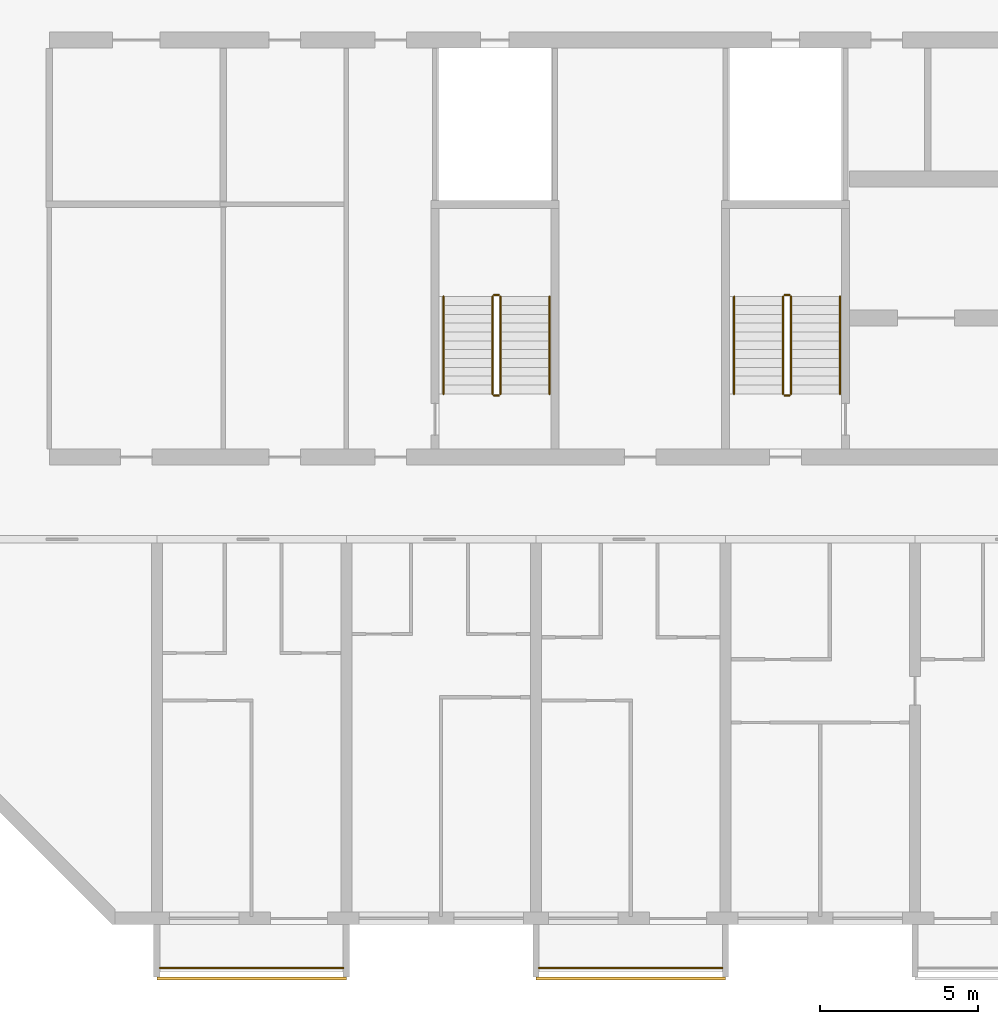
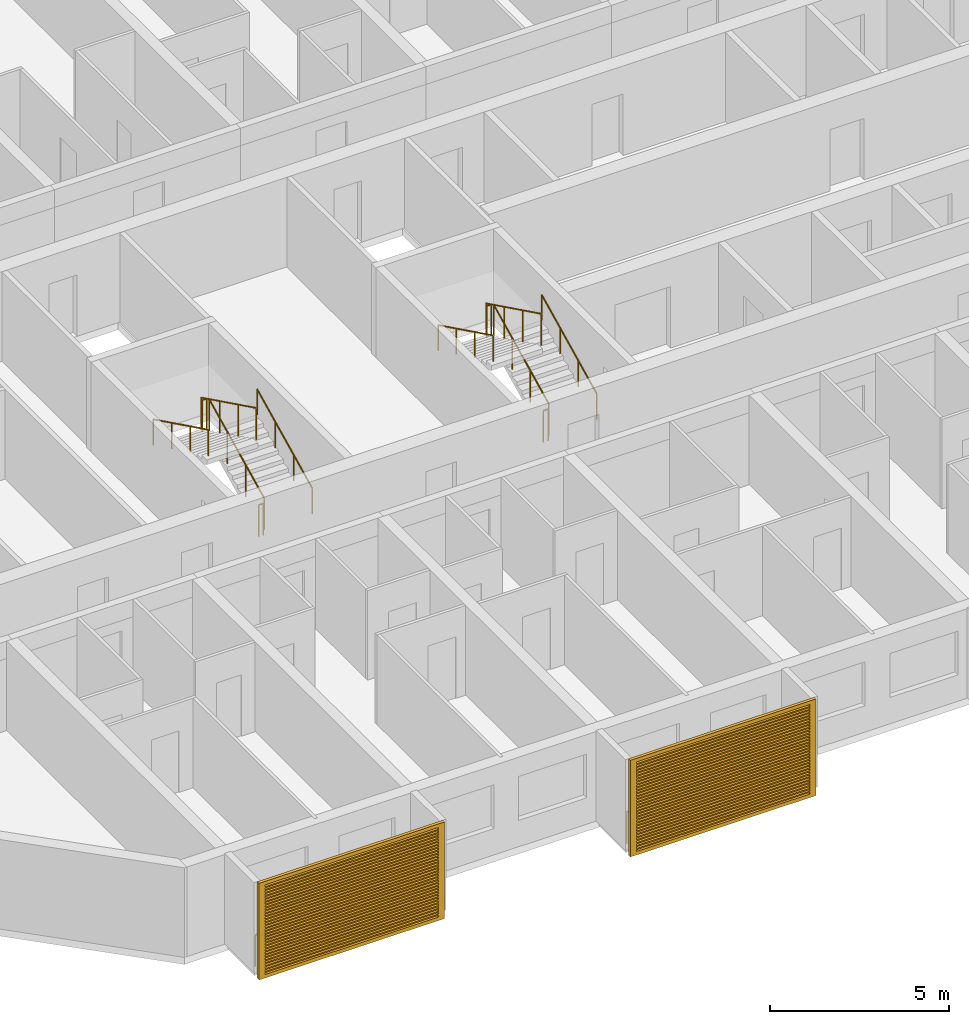
# One storey, part 18 of 28: 14 railings, 2 shading devices.
"""IFC4 building model written with IfcOpenShell, lengths in metres."""

import ifcopenshell
import ifcopenshell.guid

model = None  # the IFC model being written
_history = None  # IfcOwnerHistory: only IFC2X3 demands one
_inside = {}  # id of a spatial element -> (the spatial element, [elements in it])
_under = {}  # id of a project, library or spatial element -> (it, [spatial elements below it])
_declared = {}  # id of a project -> (the project, [libraries it declares])
_typed = {}  # id of a type object -> (the type object, [elements of that type])
_made_of = {}  # id of a material, layer set ... -> (it, [elements and type objects made of it])


def new_model(schema):
    """Start an empty IFC model of exactly this schema.

    Asked for "IFC4X3", IfcOpenShell would pick the latest addendum, in which some entities
    have other attributes; the version numbers below select the first issue.
    IFC2X3 requires an IfcOwnerHistory on every rooted entity: one is made here for all.
    """
    global model, _history
    if schema == "IFC4X3":
        model = ifcopenshell.file(schema_version=(4, 3, 0, 0))
    else:
        model = ifcopenshell.file(schema=schema)
    _inside.clear()
    _under.clear()
    _declared.clear()
    _typed.clear()
    _made_of.clear()
    _history = None
    if model.schema == "IFC2X3":
        org = make("IfcOrganization", Name="unknown")
        user = make(
            "IfcPersonAndOrganization",
            ThePerson=make("IfcPerson", FamilyName="unknown"),
            TheOrganization=org,
        )
        app = make(
            "IfcApplication",
            ApplicationDeveloper=org,
            Version="unknown",
            ApplicationFullName="unknown",
            ApplicationIdentifier="unknown",
        )
        _history = make(
            "IfcOwnerHistory",
            OwningUser=user,
            OwningApplication=app,
            ChangeAction="ADDED",
            CreationDate=0,
        )
    return model


def make(cls, **values):
    """One entity of the class cls with the attributes given. An attribute that is None is left unset."""
    return model.create_entity(
        cls, **{name: value for name, value in values.items() if value is not None}
    )


def rooted(cls, **values):
    """An entity with a GlobalId (a new one), such as an element, a storey or a relation."""
    return make(cls, GlobalId=ifcopenshell.guid.new(), OwnerHistory=_history, **values)


def si_unit(unit_type, name, prefix=None):
    """IfcSIUnit, for example si_unit("LENGTHUNIT", "METRE", prefix="MILLI")."""
    return make("IfcSIUnit", UnitType=unit_type, Prefix=prefix, Name=name)


def assignment(units):
    """IfcUnitAssignment: the units of a project."""
    return None if units is None else make("IfcUnitAssignment", Units=units)


def point(xyz):
    """IfcCartesianPoint."""
    return None if xyz is None else make("IfcCartesianPoint", Coordinates=xyz)


def direction(xyz):
    """IfcDirection."""
    return None if xyz is None else make("IfcDirection", DirectionRatios=xyz)


def frame(location, z_axis=None, x_axis=None):
    """IfcAxis2Placement3D, a coordinate frame: its origin and axes. An axis left out is left unset."""
    return make(
        "IfcAxis2Placement3D",
        Location=point(location),
        Axis=direction(z_axis),
        RefDirection=direction(x_axis),
    )


def frame_2d(location, x_axis=None):
    """IfcAxis2Placement2D, a coordinate frame in the plane: its origin and x axis."""
    return make(
        "IfcAxis2Placement2D", Location=point(location), RefDirection=direction(x_axis)
    )


def origin():
    """The frame at (0, 0, 0) with its axes left unset."""
    return frame((0.0, 0.0, 0.0))


def origin_2d():
    """The frame at (0, 0) in the plane with its x axis left unset."""
    return frame_2d((0.0, 0.0))


def place(relative_to, where):
    """IfcLocalPlacement: puts the frame where relative to a parent placement (None: the world)."""
    return make(
        "IfcLocalPlacement", PlacementRelTo=relative_to, RelativePlacement=where
    )


def context(
    kind, dimensions, precision=None, world=None, true_north=None, identifier=None
):
    """IfcGeometricRepresentationContext, for example the 3D "Model" context."""
    return make(
        "IfcGeometricRepresentationContext",
        ContextIdentifier=identifier,
        ContextType=kind,
        CoordinateSpaceDimension=dimensions,
        Precision=precision,
        WorldCoordinateSystem=world,
        TrueNorth=true_north,
    )


def subcontext(parent, identifier, kind, view, scale=None):
    """IfcGeometricRepresentationSubContext, for example "Body" below "Model"."""
    return make(
        "IfcGeometricRepresentationSubContext",
        ContextIdentifier=identifier,
        ContextType=kind,
        ParentContext=parent,
        TargetScale=scale,
        TargetView=view,
    )


def project(units=None, contexts=None):
    """IfcProject with its units and contexts."""
    return rooted(
        "IfcProject",
        Name="project",
        RepresentationContexts=contexts,
        UnitsInContext=assignment(units),
    )


def spatial(cls, under=None, at=None, **own):
    """A site, building, storey or space (cls), placed at a placement, below another one or the project."""
    s = rooted(cls, ObjectPlacement=at, **own)
    if under is not None:
        _under.setdefault(under.id(), (under, []))[1].append(s)
    return s


def polyline(points):
    """IfcPolyline through the points."""
    return make("IfcPolyline", Points=[point(p) for p in points])


def profile(cls, at=None, kind="AREA", **sizes):
    """A parametric profile (cls). Its sizes go by their IFC names, for example OverallWidth=200.0."""
    return make(cls, ProfileType=kind, Position=at, **sizes)


def circle(**sizes):
    """IfcCircleProfileDef."""
    return profile("IfcCircleProfileDef", **sizes)


def outline(outer, holes=None, kind="AREA"):
    """IfcArbitraryClosedProfileDef: a profile drawn as a closed curve; with holes, ...WithVoids."""
    if holes is None:
        return make("IfcArbitraryClosedProfileDef", ProfileType=kind, OuterCurve=outer)
    return make(
        "IfcArbitraryProfileDefWithVoids",
        ProfileType=kind,
        OuterCurve=outer,
        InnerCurves=holes,
    )


def extrude(swept, where, along, depth):
    """IfcExtrudedAreaSolid: the profile swept, set in the frame where, extruded along a direction by depth."""
    return make(
        "IfcExtrudedAreaSolid",
        SweptArea=swept,
        Position=where,
        ExtrudedDirection=direction(along),
        Depth=depth,
    )


def shape(context_of_items, identifier, shape_type, items):
    """IfcShapeRepresentation: the items that make up one representation, for example the "Body"."""
    return make(
        "IfcShapeRepresentation",
        ContextOfItems=context_of_items,
        RepresentationIdentifier=identifier,
        RepresentationType=shape_type,
        Items=items,
    )


def source(mapping_origin, context_of_items, identifier, shape_type, items):
    """IfcRepresentationMap: a shape defined once, which mapped items show again and again."""
    return make(
        "IfcRepresentationMap",
        MappingOrigin=mapping_origin,
        MappedRepresentation=shape(context_of_items, identifier, shape_type, items),
    )


def transform(
    local_origin,
    x_axis=None,
    y_axis=None,
    z_axis=None,
    scale=None,
    scale2=None,
    scale3=None,
    uniform=True,
):
    """IfcCartesianTransformationOperator3D, or its non-uniform kind. x_axis, y_axis, z_axis: its Axis1, 2, 3."""
    if uniform:
        return make(
            "IfcCartesianTransformationOperator3D",
            Axis1=direction(x_axis),
            Axis2=direction(y_axis),
            LocalOrigin=point(local_origin),
            Scale=scale,
            Axis3=direction(z_axis),
        )
    return make(
        "IfcCartesianTransformationOperator3DnonUniform",
        Axis1=direction(x_axis),
        Axis2=direction(y_axis),
        LocalOrigin=point(local_origin),
        Scale=scale,
        Axis3=direction(z_axis),
        Scale2=scale2,
        Scale3=scale3,
    )


def mapped(mapping_source, mapping_target):
    """IfcMappedItem: shows the shape of a source again, moved by a transform."""
    return make(
        "IfcMappedItem", MappingSource=mapping_source, MappingTarget=mapping_target
    )


def material(Name=None, Category=None):
    """IfcMaterial."""
    return make("IfcMaterial", Name=Name, Category=Category)


def material_profile(
    of_material, cross_section, Name=None, Category=None, Priority=None
):
    """IfcMaterialProfile: a cross section and its material."""
    return make(
        "IfcMaterialProfile",
        Name=Name,
        Material=of_material,
        Profile=cross_section,
        Priority=Priority,
        Category=Category,
    )


def profile_set(profiles, Name=None, composite=None):
    """IfcMaterialProfileSet."""
    return make(
        "IfcMaterialProfileSet",
        Name=Name,
        MaterialProfiles=profiles,
        CompositeProfile=composite,
    )


def made_of(thing, what):
    """Note that an element or type object is made of a material, layer set ...; save() writes the relation."""
    if what is not None:
        _made_of.setdefault(what.id(), (what, []))[1].append(thing)
    return thing


def type_object(cls, material=None, **own):
    """A type object (cls), such as IfcWallType, which elements share."""
    return made_of(rooted(cls, **own), material)


def element(
    cls,
    number,
    at=None,
    inside=None,
    cuts=None,
    type_object=None,
    material=None,
    context=None,
    identifier="Body",
    shape_type=None,
    held_by="IfcProductDefinitionShape",
    body=None,
    shapes=None,
    **own,
):
    """One element of the class cls, such as IfcWall. Its Tag is "e" and its number.

    at: its placement. inside: the storey or other place that contains it. cuts: it is an
    opening in that element (IfcRelVoidsElement). A single representation is given by context,
    identifier, shape_type and body (its items); several are given by shapes. held_by: the class
    of the entity that holds the representations. save() writes the other relations.
    """
    e = rooted(cls, Tag="e%d" % number, ObjectPlacement=at, **own)
    if body is not None:
        shapes = [shape(context, identifier, shape_type, body)]
    if shapes is not None:
        e.Representation = make(held_by, Representations=shapes)
    if inside is not None:
        _inside.setdefault(inside.id(), (inside, []))[1].append(e)
    if cuts is not None:
        rooted(
            "IfcRelVoidsElement", RelatingBuildingElement=cuts, RelatedOpeningElement=e
        )
    if type_object is not None:
        _typed.setdefault(type_object.id(), (type_object, []))[1].append(e)
    return made_of(e, material)


def aggregate(whole, parts):
    """IfcRelAggregates: a whole, such as a stair, and the parts it consists of."""
    return rooted("IfcRelAggregates", RelatingObject=whole, RelatedObjects=parts)


def save(model, path):
    """Write the relations noted so far, then the file.

    IfcRelAggregates (storeys below a building ...), IfcRelContainedInSpatialStructure (elements
    in a storey), IfcRelDefinesByType, IfcRelAssociatesMaterial and IfcRelDeclares: one each for
    every whole, place, type object, material and project.
    """
    for whole, parts in _under.values():
        aggregate(whole, parts)
    for where, things in _inside.values():
        rooted(
            "IfcRelContainedInSpatialStructure",
            RelatedElements=things,
            RelatingStructure=where,
        )
    for kind, things in _typed.values():
        rooted("IfcRelDefinesByType", RelatedObjects=things, RelatingType=kind)
    for what, things in _made_of.values():
        rooted("IfcRelAssociatesMaterial", RelatedObjects=things, RelatingMaterial=what)
    for by, libraries in _declared.values():
        rooted("IfcRelDeclares", RelatingContext=by, RelatedDefinitions=libraries)
    model.write(path)


model = new_model("IFC4")

# Units and contexts
model_context = context("Model", 3, precision=1e-05, world=origin(), true_north=direction((0.0, 1.0)))
body_context = subcontext(model_context, "Body", "Model", "MODEL_VIEW")
ifc_project = project(units=[si_unit("LENGTHUNIT", "METRE"), si_unit("AREAUNIT", "SQUARE_METRE"), si_unit("VOLUMEUNIT", "CUBIC_METRE"), si_unit("PLANEANGLEUNIT", "RADIAN"), si_unit("MASSUNIT", "GRAM", prefix="KILO")], contexts=[model_context])

# Site, building, storey
site_placement = place(None, origin())
site = spatial("IfcSite", under=ifc_project, at=site_placement, CompositionType="ELEMENT")
building_placement = place(site_placement, origin())
building = spatial("IfcBuilding", under=site, at=building_placement, Name="Poui Terraces", CompositionType="ELEMENT")
storey_placement = place(building_placement, frame((0.0, 0.0, 72.89990234375)))
storey = spatial("IfcBuildingStorey", under=building, at=storey_placement, Name="L19", CompositionType="ELEMENT", Elevation=72.89990234375)

# Railings
ifc_material_1 = material(Name="Painted steel fretwork", Category="steel")
railing_type_1 = type_object("IfcRailingType", Name="BALCONY GUARD 1100", PredefinedType="GUARDRAIL", material=ifc_material_1)
for number, where, name in (
    (1, (12.10009765625, -1.570068359375, 0.0), "BALCONY GUARD"),
    (2, (24.10009765625, -1.570068359375, 0.0), "BALCONY GUARD"),
):
    element("IfcRailing", number, at=place(storey_placement, frame(where)), inside=storey, type_object=railing_type_1, Name=name, PredefinedType="GUARDRAIL", context=body_context, shape_type="SweptSolid", body=[
        extrude(circle(Radius=0.02392578125, at=origin_2d()), frame((0.0, 0.0, 1.076171875), z_axis=(1.0, 0.0, 0.0), x_axis=(0.0, 1.0, 0.0)), (0.0, 0.0, 1.0), 5.7998046875),
        extrude(circle(Radius=0.02099609375, at=origin_2d()), origin(), (0.0, 0.0, 1.0), 1.052001953125),
        extrude(circle(Radius=0.02099609375, at=origin_2d()), frame((0.966552734375, 0.0, 0.0)), (0.0, 0.0, 1.0), 1.052001953125),
        extrude(circle(Radius=0.02099609375, at=origin_2d()), frame((1.933349609375, 0.0, 0.0)), (0.0, 0.0, 1.0), 1.052001953125),
        extrude(circle(Radius=0.02099609375, at=origin_2d()), frame((2.89990234375, 0.0, 0.0)), (0.0, 0.0, 1.0), 1.052001953125),
        extrude(circle(Radius=0.02099609375, at=origin_2d()), frame((3.866455078125, 0.0, 0.0)), (0.0, 0.0, 1.0), 1.052001953125),
        extrude(circle(Radius=0.02099609375, at=origin_2d()), frame((4.833251953125, 0.0, 0.0)), (0.0, 0.0, 1.0), 1.052001953125),
        extrude(circle(Radius=0.02099609375, at=origin_2d()), frame((5.7998046875, 0.0, 0.0)), (0.0, 0.0, 1.0), 1.052001953125),
    ])
ifc_material_2 = material(Name="Galvanised steel balustrade", Category="steel")
railing_type_2 = type_object("IfcRailingType", Name="STAIR GUARD 1100", PredefinedType="GUARDRAIL", material=ifc_material_2)
railing_1_placement = place(storey_placement, frame((32.074951171875, 16.60009765625, 0.1376953125)))
element("IfcRailing", 3, at=railing_1_placement, inside=storey, type_object=railing_type_2, Name="L19 ST-CW stair guard 1", PredefinedType="GUARDRAIL", context=body_context, shape_type="SweptSolid", body=[
    extrude(circle(Radius=0.02392578125, at=origin_2d()), frame((0.0, 0.0, 1.076171875), z_axis=(0.0, 0.897606190399, 0.440798283751), x_axis=(-1.0, 0.0, 0.0)), (0.0, 0.0, 1.0), 3.43115234375),
    extrude(circle(Radius=0.02099609375, at=origin_2d()), origin(), (0.0, 0.0, 1.0), 1.052001953125),
    extrude(circle(Radius=0.02099609375, at=origin_2d()), frame((0.0, 1.026611328125, 0.504150390625)), (0.0, 0.0, 1.0), 1.052001953125),
    extrude(circle(Radius=0.02099609375, at=origin_2d()), frame((0.0, 2.05322265625, 1.00830078125)), (0.0, 0.0, 1.0), 1.052001953125),
    extrude(circle(Radius=0.02099609375, at=origin_2d()), frame((0.0, 3.079833984375, 1.512451171875)), (0.0, 0.0, 1.0), 1.052001953125),
])
railing_2_placement = place(storey_placement, frame((32.02490234375, 19.72998046875, 1.650146484375)))
element("IfcRailing", 4, at=railing_2_placement, inside=storey, type_object=railing_type_2, Name="L19 ST-CW stair guard 2", PredefinedType="GUARDRAIL", context=body_context, shape_type="SweptSolid", body=[
    extrude(circle(Radius=0.02392578125, at=origin_2d()), frame((0.0, 0.0, 1.076171875), z_axis=(-1.0, 0.0, 0.0), x_axis=(0.0, -1.0, 0.0)), (0.0, 0.0, 1.0), 0.14990234375),
    extrude(circle(Radius=0.02099609375, at=origin_2d()), origin(), (0.0, 0.0, 1.0), 1.052001953125),
    extrude(circle(Radius=0.02099609375, at=origin_2d()), frame((-0.14990234375, 0.0, 0.0)), (0.0, 0.0, 1.0), 1.052001953125),
])
railing_3_placement = place(storey_placement, frame((31.824951171875, 19.679931640625, 1.78759765625)))
element("IfcRailing", 5, at=railing_3_placement, inside=storey, type_object=railing_type_2, Name="L19 ST-CW stair guard 3", PredefinedType="GUARDRAIL", context=body_context, shape_type="SweptSolid", body=[
    extrude(circle(Radius=0.02392578125, at=origin_2d()), frame((0.0, 0.0, 1.076171875), z_axis=(0.0, -0.897606190399, 0.440798283751), x_axis=(1.0, 0.0, 0.0)), (0.0, 0.0, 1.0), 3.43115234375),
    extrude(circle(Radius=0.02099609375, at=origin_2d()), origin(), (0.0, 0.0, 1.0), 1.052001953125),
    extrude(circle(Radius=0.02099609375, at=origin_2d()), frame((0.0, -1.026611328125, 0.504150390625)), (0.0, 0.0, 1.0), 1.052001953125),
    extrude(circle(Radius=0.02099609375, at=origin_2d()), frame((0.0, -2.05322265625, 1.00830078125)), (0.0, 0.0, 1.0), 1.052001953125),
    extrude(circle(Radius=0.02099609375, at=origin_2d()), frame((0.0, -3.079833984375, 1.512451171875)), (0.0, 0.0, 1.0), 1.052001953125),
])
railing_4_placement = place(storey_placement, frame((32.02490234375, 16.550048828125, 0.0)))
element("IfcRailing", 6, at=railing_4_placement, inside=storey, type_object=railing_type_2, Name="L19 ST-CW stair guard 4", PredefinedType="GUARDRAIL", context=body_context, shape_type="SweptSolid", body=[
    extrude(circle(Radius=0.02392578125, at=origin_2d()), frame((0.0, 0.0, 1.076171875), z_axis=(-1.0, 0.0, 0.0), x_axis=(0.0, -1.0, 0.0)), (0.0, 0.0, 1.0), 0.14990234375),
    extrude(circle(Radius=0.02099609375, at=origin_2d()), origin(), (0.0, 0.0, 1.0), 1.052001953125),
    extrude(circle(Radius=0.02099609375, at=origin_2d()), frame((-0.14990234375, 0.0, 0.0)), (0.0, 0.0, 1.0), 1.052001953125),
])
railing_5_placement = place(storey_placement, frame((22.875, 16.60009765625, 0.1376953125)))
element("IfcRailing", 7, at=railing_5_placement, inside=storey, type_object=railing_type_2, Name="L19 ST-W stair guard 1", PredefinedType="GUARDRAIL", context=body_context, shape_type="SweptSolid", body=[
    extrude(circle(Radius=0.02392578125, at=origin_2d()), frame((0.0, 0.0, 1.076171875), z_axis=(0.0, 0.897606190399, 0.440798283751), x_axis=(-1.0, 0.0, 0.0)), (0.0, 0.0, 1.0), 3.43115234375),
    extrude(circle(Radius=0.02099609375, at=origin_2d()), origin(), (0.0, 0.0, 1.0), 1.052001953125),
    extrude(circle(Radius=0.02099609375, at=origin_2d()), frame((0.0, 1.026611328125, 0.504150390625)), (0.0, 0.0, 1.0), 1.052001953125),
    extrude(circle(Radius=0.02099609375, at=origin_2d()), frame((0.0, 2.05322265625, 1.00830078125)), (0.0, 0.0, 1.0), 1.052001953125),
    extrude(circle(Radius=0.02099609375, at=origin_2d()), frame((0.0, 3.079833984375, 1.512451171875)), (0.0, 0.0, 1.0), 1.052001953125),
])
railing_6_placement = place(storey_placement, frame((22.824951171875, 19.72998046875, 1.650146484375)))
element("IfcRailing", 8, at=railing_6_placement, inside=storey, type_object=railing_type_2, Name="L19 ST-W stair guard 2", PredefinedType="GUARDRAIL", context=body_context, shape_type="SweptSolid", body=[
    extrude(circle(Radius=0.02392578125, at=origin_2d()), frame((0.0, 0.0, 1.076171875), z_axis=(-1.0, 0.0, 0.0), x_axis=(0.0, -1.0, 0.0)), (0.0, 0.0, 1.0), 0.14990234375),
    extrude(circle(Radius=0.02099609375, at=origin_2d()), origin(), (0.0, 0.0, 1.0), 1.052001953125),
    extrude(circle(Radius=0.02099609375, at=origin_2d()), frame((-0.14990234375, 0.0, 0.0)), (0.0, 0.0, 1.0), 1.052001953125),
])
railing_7_placement = place(storey_placement, frame((22.625, 19.679931640625, 1.78759765625)))
element("IfcRailing", 9, at=railing_7_placement, inside=storey, type_object=railing_type_2, Name="L19 ST-W stair guard 3", PredefinedType="GUARDRAIL", context=body_context, shape_type="SweptSolid", body=[
    extrude(circle(Radius=0.02392578125, at=origin_2d()), frame((0.0, 0.0, 1.076171875), z_axis=(0.0, -0.897606190399, 0.440798283751), x_axis=(1.0, 0.0, 0.0)), (0.0, 0.0, 1.0), 3.43115234375),
    extrude(circle(Radius=0.02099609375, at=origin_2d()), origin(), (0.0, 0.0, 1.0), 1.052001953125),
    extrude(circle(Radius=0.02099609375, at=origin_2d()), frame((0.0, -1.026611328125, 0.504150390625)), (0.0, 0.0, 1.0), 1.052001953125),
    extrude(circle(Radius=0.02099609375, at=origin_2d()), frame((0.0, -2.05322265625, 1.00830078125)), (0.0, 0.0, 1.0), 1.052001953125),
    extrude(circle(Radius=0.02099609375, at=origin_2d()), frame((0.0, -3.079833984375, 1.512451171875)), (0.0, 0.0, 1.0), 1.052001953125),
])
railing_8_placement = place(storey_placement, frame((22.824951171875, 16.550048828125, 0.0)))
element("IfcRailing", 10, at=railing_8_placement, inside=storey, type_object=railing_type_2, Name="L19 ST-W stair guard 4", PredefinedType="GUARDRAIL", context=body_context, shape_type="SweptSolid", body=[
    extrude(circle(Radius=0.02392578125, at=origin_2d()), frame((0.0, 0.0, 1.076171875), z_axis=(-1.0, 0.0, 0.0), x_axis=(0.0, -1.0, 0.0)), (0.0, 0.0, 1.0), 0.14990234375),
    extrude(circle(Radius=0.02099609375, at=origin_2d()), origin(), (0.0, 0.0, 1.0), 1.052001953125),
    extrude(circle(Radius=0.02099609375, at=origin_2d()), frame((-0.14990234375, 0.0, 0.0)), (0.0, 0.0, 1.0), 1.052001953125),
])
ifc_material_3 = material(Name="Stainless steel handrail", Category="steel")
railing_type_3 = type_object("IfcRailingType", Name="STAIR HANDRAIL 900", PredefinedType="HANDRAIL", material=ifc_material_3)
railing_9_placement = place(storey_placement, frame((33.625, 16.60009765625, 0.1376953125)))
element("IfcRailing", 11, at=railing_9_placement, inside=storey, type_object=railing_type_3, Name="L19 ST-CW stair handrail 1", PredefinedType="HANDRAIL", context=body_context, shape_type="SweptSolid", body=[
    extrude(circle(Radius=0.02392578125, at=origin_2d()), frame((0.0, 0.0, 0.8759765625), z_axis=(0.0, 0.897606190399, 0.440798283751), x_axis=(-1.0, 0.0, 0.0)), (0.0, 0.0, 1.0), 3.43115234375),
    extrude(circle(Radius=0.02099609375, at=origin_2d()), origin(), (0.0, 0.0, 1.0), 0.851806640625),
    extrude(circle(Radius=0.02099609375, at=origin_2d()), frame((0.0, 1.026611328125, 0.504150390625)), (0.0, 0.0, 1.0), 0.851806640625),
    extrude(circle(Radius=0.02099609375, at=origin_2d()), frame((0.0, 2.05322265625, 1.00830078125)), (0.0, 0.0, 1.0), 0.851806640625),
    extrude(circle(Radius=0.02099609375, at=origin_2d()), frame((0.0, 3.079833984375, 1.512451171875)), (0.0, 0.0, 1.0), 0.851806640625),
])
railing_10_placement = place(storey_placement, frame((30.27490234375, 19.679931640625, 1.78759765625)))
element("IfcRailing", 12, at=railing_10_placement, inside=storey, type_object=railing_type_3, Name="L19 ST-CW stair handrail 2", PredefinedType="HANDRAIL", context=body_context, shape_type="SweptSolid", body=[
    extrude(circle(Radius=0.02392578125, at=origin_2d()), frame((0.0, 0.0, 0.8759765625), z_axis=(0.0, -0.897606190399, 0.440798283751), x_axis=(1.0, 0.0, 0.0)), (0.0, 0.0, 1.0), 3.43115234375),
    extrude(circle(Radius=0.02099609375, at=origin_2d()), origin(), (0.0, 0.0, 1.0), 0.851806640625),
    extrude(circle(Radius=0.02099609375, at=origin_2d()), frame((0.0, -1.026611328125, 0.504150390625)), (0.0, 0.0, 1.0), 0.851806640625),
    extrude(circle(Radius=0.02099609375, at=origin_2d()), frame((0.0, -2.05322265625, 1.00830078125)), (0.0, 0.0, 1.0), 0.851806640625),
    extrude(circle(Radius=0.02099609375, at=origin_2d()), frame((0.0, -3.079833984375, 1.512451171875)), (0.0, 0.0, 1.0), 0.851806640625),
])
railing_11_placement = place(storey_placement, frame((24.425048828125, 16.60009765625, 0.1376953125)))
element("IfcRailing", 13, at=railing_11_placement, inside=storey, type_object=railing_type_3, Name="L19 ST-W stair handrail 1", PredefinedType="HANDRAIL", context=body_context, shape_type="SweptSolid", body=[
    extrude(circle(Radius=0.02392578125, at=origin_2d()), frame((0.0, 0.0, 0.8759765625), z_axis=(0.0, 0.897606190399, 0.440798283751), x_axis=(-1.0, 0.0, 0.0)), (0.0, 0.0, 1.0), 3.43115234375),
    extrude(circle(Radius=0.02099609375, at=origin_2d()), origin(), (0.0, 0.0, 1.0), 0.851806640625),
    extrude(circle(Radius=0.02099609375, at=origin_2d()), frame((0.0, 1.026611328125, 0.504150390625)), (0.0, 0.0, 1.0), 0.851806640625),
    extrude(circle(Radius=0.02099609375, at=origin_2d()), frame((0.0, 2.05322265625, 1.00830078125)), (0.0, 0.0, 1.0), 0.851806640625),
    extrude(circle(Radius=0.02099609375, at=origin_2d()), frame((0.0, 3.079833984375, 1.512451171875)), (0.0, 0.0, 1.0), 0.851806640625),
])
railing_12_placement = place(storey_placement, frame((21.074951171875, 19.679931640625, 1.78759765625)))
element("IfcRailing", 14, at=railing_12_placement, inside=storey, type_object=railing_type_3, Name="L19 ST-W stair handrail 2", PredefinedType="HANDRAIL", context=body_context, shape_type="SweptSolid", body=[
    extrude(circle(Radius=0.02392578125, at=origin_2d()), frame((0.0, 0.0, 0.8759765625), z_axis=(0.0, -0.897606190399, 0.440798283751), x_axis=(1.0, 0.0, 0.0)), (0.0, 0.0, 1.0), 3.43115234375),
    extrude(circle(Radius=0.02099609375, at=origin_2d()), origin(), (0.0, 0.0, 1.0), 0.851806640625),
    extrude(circle(Radius=0.02099609375, at=origin_2d()), frame((0.0, -1.026611328125, 0.504150390625)), (0.0, 0.0, 1.0), 0.851806640625),
    extrude(circle(Radius=0.02099609375, at=origin_2d()), frame((0.0, -2.05322265625, 1.00830078125)), (0.0, 0.0, 1.0), 0.851806640625),
    extrude(circle(Radius=0.02099609375, at=origin_2d()), frame((0.0, -3.079833984375, 1.512451171875)), (0.0, 0.0, 1.0), 0.851806640625),
])

# Shading devices
ifc_material_4 = material(Name="Aluminium louvre", Category="aluminium")
ifc_material_profile = material_profile(ifc_material_4, outline(polyline([(-3.0, -1.64990234375), (3.0, -1.64990234375), (3.0, 1.64990234375), (-3.0, 1.64990234375), (-3.0, -1.64990234375)]), holes=[polyline([(-2.800048828125, -1.530029296875), (2.800048828125, -1.530029296875), (2.800048828125, -1.469970703125), (-2.800048828125, -1.469970703125), (-2.800048828125, -1.530029296875)]), polyline([(-2.800048828125, -1.429931640625), (2.800048828125, -1.429931640625), (2.800048828125, -1.3701171875), (-2.800048828125, -1.3701171875), (-2.800048828125, -1.429931640625)]), polyline([(-2.800048828125, -1.330078125), (2.800048828125, -1.330078125), (2.800048828125, -1.27001953125), (-2.800048828125, -1.27001953125), (-2.800048828125, -1.330078125)]), polyline([(-2.800048828125, -1.22998046875), (2.800048828125, -1.22998046875), (2.800048828125, -1.169921875), (-2.800048828125, -1.169921875), (-2.800048828125, -1.22998046875)]), polyline([(-2.800048828125, -1.1298828125), (2.800048828125, -1.1298828125), (2.800048828125, -1.070068359375), (-2.800048828125, -1.070068359375), (-2.800048828125, -1.1298828125)]), polyline([(-2.800048828125, -1.030029296875), (2.800048828125, -1.030029296875), (2.800048828125, -0.969970703125), (-2.800048828125, -0.969970703125), (-2.800048828125, -1.030029296875)]), polyline([(-2.800048828125, -0.929931640625), (2.800048828125, -0.929931640625), (2.800048828125, -0.8701171875), (-2.800048828125, -0.8701171875), (-2.800048828125, -0.929931640625)]), polyline([(-2.800048828125, -0.830078125), (2.800048828125, -0.830078125), (2.800048828125, -0.77001953125), (-2.800048828125, -0.77001953125), (-2.800048828125, -0.830078125)]), polyline([(-2.800048828125, -0.72998046875), (2.800048828125, -0.72998046875), (2.800048828125, -0.669921875), (-2.800048828125, -0.669921875), (-2.800048828125, -0.72998046875)]), polyline([(-2.800048828125, -0.6298828125), (2.800048828125, -0.6298828125), (2.800048828125, -0.570068359375), (-2.800048828125, -0.570068359375), (-2.800048828125, -0.6298828125)]), polyline([(-2.800048828125, -0.530029296875), (2.800048828125, -0.530029296875), (2.800048828125, -0.469970703125), (-2.800048828125, -0.469970703125), (-2.800048828125, -0.530029296875)]), polyline([(-2.800048828125, -0.429931640625), (2.800048828125, -0.429931640625), (2.800048828125, -0.3701171875), (-2.800048828125, -0.3701171875), (-2.800048828125, -0.429931640625)]), polyline([(-2.800048828125, -0.330078125), (2.800048828125, -0.330078125), (2.800048828125, -0.27001953125), (-2.800048828125, -0.27001953125), (-2.800048828125, -0.330078125)]), polyline([(-2.800048828125, -0.22998046875), (2.800048828125, -0.22998046875), (2.800048828125, -0.169921875), (-2.800048828125, -0.169921875), (-2.800048828125, -0.22998046875)]), polyline([(-2.800048828125, -0.1298828125), (2.800048828125, -0.1298828125), (2.800048828125, -0.070068359375), (-2.800048828125, -0.070068359375), (-2.800048828125, -0.1298828125)]), polyline([(-2.800048828125, -0.030029296875), (2.800048828125, -0.030029296875), (2.800048828125, 0.030029296875), (-2.800048828125, 0.030029296875), (-2.800048828125, -0.030029296875)]), polyline([(-2.800048828125, 0.070068359375), (2.800048828125, 0.070068359375), (2.800048828125, 0.1298828125), (-2.800048828125, 0.1298828125), (-2.800048828125, 0.070068359375)]), polyline([(-2.800048828125, 0.169921875), (2.800048828125, 0.169921875), (2.800048828125, 0.22998046875), (-2.800048828125, 0.22998046875), (-2.800048828125, 0.169921875)]), polyline([(-2.800048828125, 0.27001953125), (2.800048828125, 0.27001953125), (2.800048828125, 0.330078125), (-2.800048828125, 0.330078125), (-2.800048828125, 0.27001953125)]), polyline([(-2.800048828125, 0.3701171875), (2.800048828125, 0.3701171875), (2.800048828125, 0.429931640625), (-2.800048828125, 0.429931640625), (-2.800048828125, 0.3701171875)]), polyline([(-2.800048828125, 0.469970703125), (2.800048828125, 0.469970703125), (2.800048828125, 0.530029296875), (-2.800048828125, 0.530029296875), (-2.800048828125, 0.469970703125)]), polyline([(-2.800048828125, 0.570068359375), (2.800048828125, 0.570068359375), (2.800048828125, 0.6298828125), (-2.800048828125, 0.6298828125), (-2.800048828125, 0.570068359375)]), polyline([(-2.800048828125, 0.669921875), (2.800048828125, 0.669921875), (2.800048828125, 0.72998046875), (-2.800048828125, 0.72998046875), (-2.800048828125, 0.669921875)]), polyline([(-2.800048828125, 0.77001953125), (2.800048828125, 0.77001953125), (2.800048828125, 0.830078125), (-2.800048828125, 0.830078125), (-2.800048828125, 0.77001953125)]), polyline([(-2.800048828125, 0.8701171875), (2.800048828125, 0.8701171875), (2.800048828125, 0.929931640625), (-2.800048828125, 0.929931640625), (-2.800048828125, 0.8701171875)]), polyline([(-2.800048828125, 0.969970703125), (2.800048828125, 0.969970703125), (2.800048828125, 1.030029296875), (-2.800048828125, 1.030029296875), (-2.800048828125, 0.969970703125)]), polyline([(-2.800048828125, 1.070068359375), (2.800048828125, 1.070068359375), (2.800048828125, 1.1298828125), (-2.800048828125, 1.1298828125), (-2.800048828125, 1.070068359375)]), polyline([(-2.800048828125, 1.169921875), (2.800048828125, 1.169921875), (2.800048828125, 1.22998046875), (-2.800048828125, 1.22998046875), (-2.800048828125, 1.169921875)]), polyline([(-2.800048828125, 1.27001953125), (2.800048828125, 1.27001953125), (2.800048828125, 1.330078125), (-2.800048828125, 1.330078125), (-2.800048828125, 1.27001953125)]), polyline([(-2.800048828125, 1.3701171875), (2.800048828125, 1.3701171875), (2.800048828125, 1.429931640625), (-2.800048828125, 1.429931640625), (-2.800048828125, 1.3701171875)]), polyline([(-2.800048828125, 1.469970703125), (2.800048828125, 1.469970703125), (2.800048828125, 1.530029296875), (-2.800048828125, 1.530029296875), (-2.800048828125, 1.469970703125)])]), Name="JALOUSIE LOUVRE SHUTTER 6000X3300")
ifc_profile_set = profile_set([ifc_material_profile], Name="Aluminium louvre")
shading_device_type = type_object("IfcShadingDeviceType", Name="JALOUSIE LOUVRE SHUTTER 6000X3300", PredefinedType="JALOUSIE", material=ifc_profile_set)
shared_shape = source(origin(), body_context, "Body", "SweptSolid", [
    extrude(outline(polyline([(-3.0, -1.64990234375), (3.0, -1.64990234375), (3.0, 1.64990234375), (-3.0, 1.64990234375), (-3.0, -1.64990234375)]), holes=[polyline([(-2.800048828125, -1.530029296875), (2.800048828125, -1.530029296875), (2.800048828125, -1.469970703125), (-2.800048828125, -1.469970703125), (-2.800048828125, -1.530029296875)]), polyline([(-2.800048828125, -1.429931640625), (2.800048828125, -1.429931640625), (2.800048828125, -1.3701171875), (-2.800048828125, -1.3701171875), (-2.800048828125, -1.429931640625)]), polyline([(-2.800048828125, -1.330078125), (2.800048828125, -1.330078125), (2.800048828125, -1.27001953125), (-2.800048828125, -1.27001953125), (-2.800048828125, -1.330078125)]), polyline([(-2.800048828125, -1.22998046875), (2.800048828125, -1.22998046875), (2.800048828125, -1.169921875), (-2.800048828125, -1.169921875), (-2.800048828125, -1.22998046875)]), polyline([(-2.800048828125, -1.1298828125), (2.800048828125, -1.1298828125), (2.800048828125, -1.070068359375), (-2.800048828125, -1.070068359375), (-2.800048828125, -1.1298828125)]), polyline([(-2.800048828125, -1.030029296875), (2.800048828125, -1.030029296875), (2.800048828125, -0.969970703125), (-2.800048828125, -0.969970703125), (-2.800048828125, -1.030029296875)]), polyline([(-2.800048828125, -0.929931640625), (2.800048828125, -0.929931640625), (2.800048828125, -0.8701171875), (-2.800048828125, -0.8701171875), (-2.800048828125, -0.929931640625)]), polyline([(-2.800048828125, -0.830078125), (2.800048828125, -0.830078125), (2.800048828125, -0.77001953125), (-2.800048828125, -0.77001953125), (-2.800048828125, -0.830078125)]), polyline([(-2.800048828125, -0.72998046875), (2.800048828125, -0.72998046875), (2.800048828125, -0.669921875), (-2.800048828125, -0.669921875), (-2.800048828125, -0.72998046875)]), polyline([(-2.800048828125, -0.6298828125), (2.800048828125, -0.6298828125), (2.800048828125, -0.570068359375), (-2.800048828125, -0.570068359375), (-2.800048828125, -0.6298828125)]), polyline([(-2.800048828125, -0.530029296875), (2.800048828125, -0.530029296875), (2.800048828125, -0.469970703125), (-2.800048828125, -0.469970703125), (-2.800048828125, -0.530029296875)]), polyline([(-2.800048828125, -0.429931640625), (2.800048828125, -0.429931640625), (2.800048828125, -0.3701171875), (-2.800048828125, -0.3701171875), (-2.800048828125, -0.429931640625)]), polyline([(-2.800048828125, -0.330078125), (2.800048828125, -0.330078125), (2.800048828125, -0.27001953125), (-2.800048828125, -0.27001953125), (-2.800048828125, -0.330078125)]), polyline([(-2.800048828125, -0.22998046875), (2.800048828125, -0.22998046875), (2.800048828125, -0.169921875), (-2.800048828125, -0.169921875), (-2.800048828125, -0.22998046875)]), polyline([(-2.800048828125, -0.1298828125), (2.800048828125, -0.1298828125), (2.800048828125, -0.070068359375), (-2.800048828125, -0.070068359375), (-2.800048828125, -0.1298828125)]), polyline([(-2.800048828125, -0.030029296875), (2.800048828125, -0.030029296875), (2.800048828125, 0.030029296875), (-2.800048828125, 0.030029296875), (-2.800048828125, -0.030029296875)]), polyline([(-2.800048828125, 0.070068359375), (2.800048828125, 0.070068359375), (2.800048828125, 0.1298828125), (-2.800048828125, 0.1298828125), (-2.800048828125, 0.070068359375)]), polyline([(-2.800048828125, 0.169921875), (2.800048828125, 0.169921875), (2.800048828125, 0.22998046875), (-2.800048828125, 0.22998046875), (-2.800048828125, 0.169921875)]), polyline([(-2.800048828125, 0.27001953125), (2.800048828125, 0.27001953125), (2.800048828125, 0.330078125), (-2.800048828125, 0.330078125), (-2.800048828125, 0.27001953125)]), polyline([(-2.800048828125, 0.3701171875), (2.800048828125, 0.3701171875), (2.800048828125, 0.429931640625), (-2.800048828125, 0.429931640625), (-2.800048828125, 0.3701171875)]), polyline([(-2.800048828125, 0.469970703125), (2.800048828125, 0.469970703125), (2.800048828125, 0.530029296875), (-2.800048828125, 0.530029296875), (-2.800048828125, 0.469970703125)]), polyline([(-2.800048828125, 0.570068359375), (2.800048828125, 0.570068359375), (2.800048828125, 0.6298828125), (-2.800048828125, 0.6298828125), (-2.800048828125, 0.570068359375)]), polyline([(-2.800048828125, 0.669921875), (2.800048828125, 0.669921875), (2.800048828125, 0.72998046875), (-2.800048828125, 0.72998046875), (-2.800048828125, 0.669921875)]), polyline([(-2.800048828125, 0.77001953125), (2.800048828125, 0.77001953125), (2.800048828125, 0.830078125), (-2.800048828125, 0.830078125), (-2.800048828125, 0.77001953125)]), polyline([(-2.800048828125, 0.8701171875), (2.800048828125, 0.8701171875), (2.800048828125, 0.929931640625), (-2.800048828125, 0.929931640625), (-2.800048828125, 0.8701171875)]), polyline([(-2.800048828125, 0.969970703125), (2.800048828125, 0.969970703125), (2.800048828125, 1.030029296875), (-2.800048828125, 1.030029296875), (-2.800048828125, 0.969970703125)]), polyline([(-2.800048828125, 1.070068359375), (2.800048828125, 1.070068359375), (2.800048828125, 1.1298828125), (-2.800048828125, 1.1298828125), (-2.800048828125, 1.070068359375)]), polyline([(-2.800048828125, 1.169921875), (2.800048828125, 1.169921875), (2.800048828125, 1.22998046875), (-2.800048828125, 1.22998046875), (-2.800048828125, 1.169921875)]), polyline([(-2.800048828125, 1.27001953125), (2.800048828125, 1.27001953125), (2.800048828125, 1.330078125), (-2.800048828125, 1.330078125), (-2.800048828125, 1.27001953125)]), polyline([(-2.800048828125, 1.3701171875), (2.800048828125, 1.3701171875), (2.800048828125, 1.429931640625), (-2.800048828125, 1.429931640625), (-2.800048828125, 1.3701171875)]), polyline([(-2.800048828125, 1.469970703125), (2.800048828125, 1.469970703125), (2.800048828125, 1.530029296875), (-2.800048828125, 1.530029296875), (-2.800048828125, 1.469970703125)])]), origin(), (0.0, 0.0, 1.0), 0.099853515625),
])
for number, where, z_axis, x_axis, name in (
    (15, (15.0, -1.85009765625, 1.4501953125), (0.0, -1.0, 0.0), (1.0, 0.0, 0.0), "JALOUSIE LOUVRE SHUTTER"),
    (16, (27.0, -1.85009765625, 1.4501953125), (0.0, -1.0, 0.0), (1.0, 0.0, 0.0), "JALOUSIE LOUVRE SHUTTER"),
):
    element("IfcShadingDevice", number, at=place(storey_placement, frame(where, z_axis=z_axis, x_axis=x_axis)), inside=storey, type_object=shading_device_type, Name=name, PredefinedType="JALOUSIE", context=body_context, shape_type="MappedRepresentation", body=[
        mapped(shared_shape, transform((0.0, 0.0, 0.0))),
    ])

save(model, "model.ifc")
